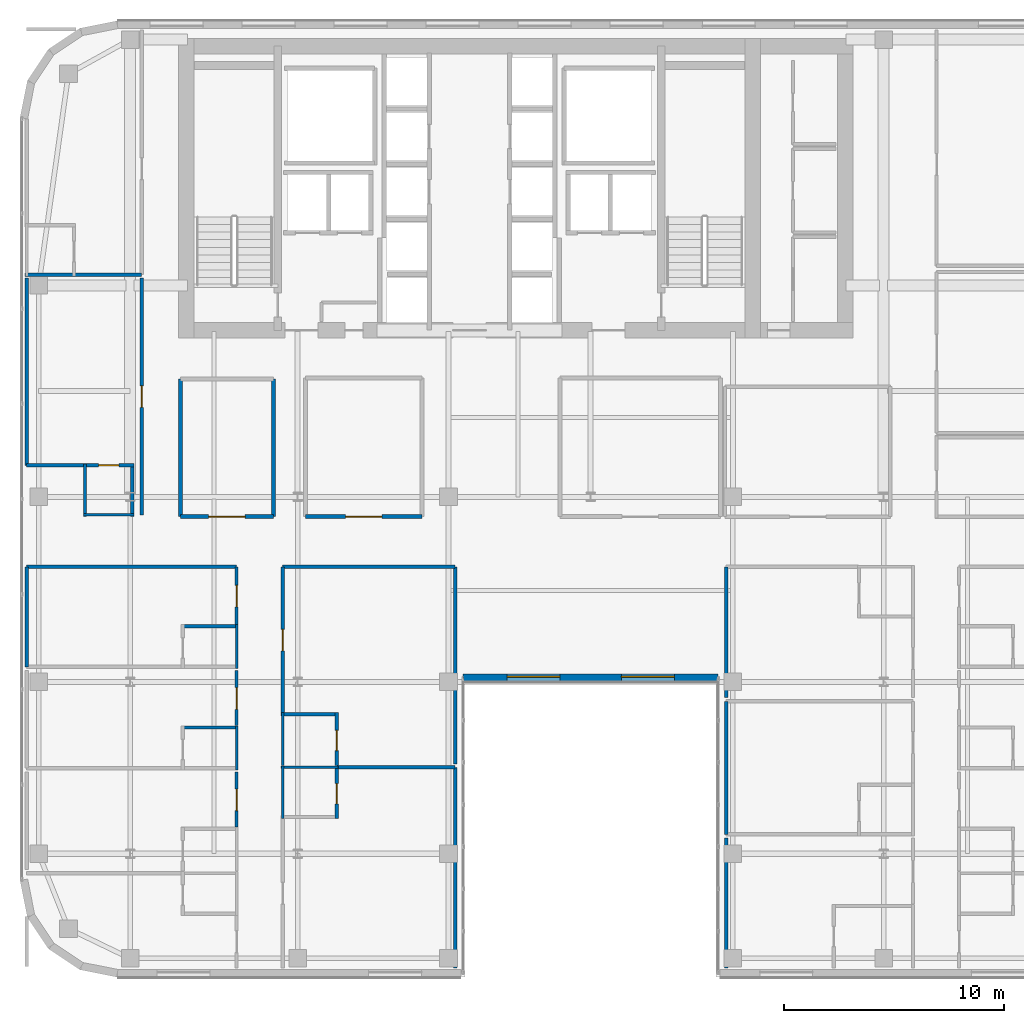
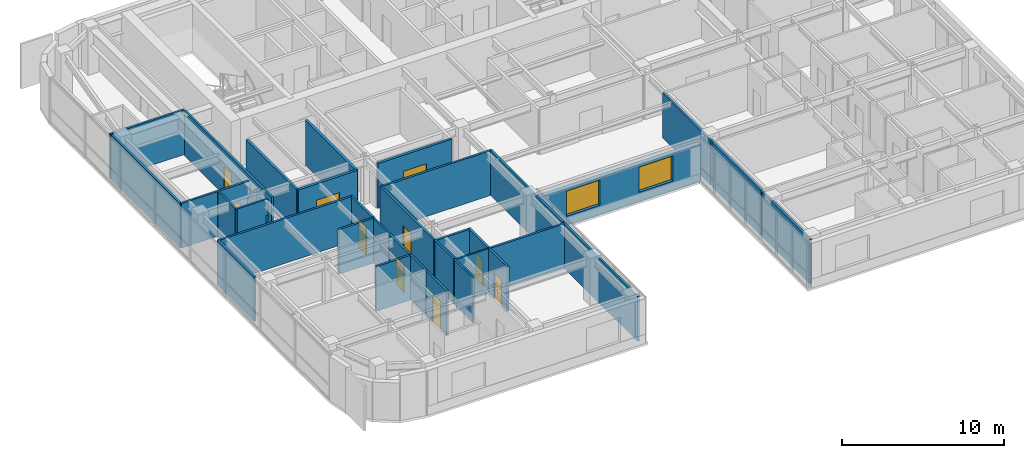
# One storey, part 18 of 28: 36 walls, 10 doors, 2 windows, 12 openings.
"""IFC4 building model written with IfcOpenShell, lengths in metres."""

from ifc_helpers import new_model, si_unit, direction, frame, frame_2d, origin, place, context, subcontext, project, spatial, rectangle, extrude, source, transform, mapped, material, layer, layer_set, type_object, type_shapes, element, fill, save


model = new_model("IFC4")

# Units and contexts
model_context = context("Model", 3, precision=1e-05, world=origin(), true_north=direction((0.0, 1.0)))
body_context = subcontext(model_context, "Body", "Model", "MODEL_VIEW")
ifc_project = project(units=[si_unit("LENGTHUNIT", "METRE"), si_unit("AREAUNIT", "SQUARE_METRE"), si_unit("VOLUMEUNIT", "CUBIC_METRE"), si_unit("PLANEANGLEUNIT", "RADIAN"), si_unit("MASSUNIT", "GRAM", prefix="KILO")], contexts=[model_context])

# Site, building, storey
site_placement = place(None, origin())
site = spatial("IfcSite", under=ifc_project, at=site_placement, CompositionType="ELEMENT")
building_placement = place(site_placement, origin())
building = spatial("IfcBuilding", under=site, at=building_placement, Name="Tolvann Quenvar Hotel", CompositionType="ELEMENT")
storey_placement = place(building_placement, frame((0.0, 0.0, 154.14990234375)))
storey = spatial("IfcBuildingStorey", under=building, at=storey_placement, Name="L40", CompositionType="ELEMENT", Elevation=154.14990234375)

# Wall, openings, windows
ifc_material_1 = material(Name="Kiln-fired red and buff architectural clay brickwork and terracotta masonry", Category="masonry")
ifc_layer_1 = layer(ifc_material_1, 0.35009765625)
ifc_layer_set_1 = layer_set([ifc_layer_1], Name="Kiln-fired red and buff architectural clay brickwork and terracotta masonry")
wall_type_1 = type_object("IfcWallType", Name="WALL_EXT_BRICK_350", PredefinedType="SOLIDWALL", material=ifc_layer_set_1)
wall_1_placement = place(storey_placement, frame((22.7099609375, 16.175048828125, 0.0), z_axis=(0.0, 0.0, 1.0), x_axis=(1.0, 0.0, 0.0)))
wall_1 = element("IfcWall", 1, at=wall_1_placement, inside=storey, type_object=wall_type_1, Name="Exterior Chicago Brick Wall L40-E06", PredefinedType="SOLIDWALL", context=body_context, shape_type="SweptSolid", body=[
    extrude(rectangle(XDim=11.580078125, YDim=0.35009765625, at=frame_2d((5.7900390625, 0.0))), origin(), (0.0, 0.0, 1.0), 2.758056640625),
])
opening_1_placement = place(wall_1_placement, frame((1.9951171875, 0.0, 0.679931640625)))
opening_1 = element("IfcOpeningElement", 2, at=opening_1_placement, cuts=wall_1, Name="Opening W-01", PredefinedType="OPENING", context=body_context, shape_type="SweptSolid", body=[
    extrude(rectangle(XDim=2.39990234375, YDim=1.89990234375, at=frame_2d((1.199951171875, 0.949951171875))), frame((0.0, 0.18505859375, 0.0), z_axis=(0.0, -1.0, 0.0), x_axis=(1.0, 0.0, 0.0)), (0.0, 0.0, 1.0), 0.3701171875),
])
opening_2_placement = place(wall_1_placement, frame((7.18505859375, 0.0, 0.679931640625)))
opening_2 = element("IfcOpeningElement", 3, at=opening_2_placement, cuts=wall_1, Name="Opening W-01", PredefinedType="OPENING", context=body_context, shape_type="SweptSolid", body=[
    extrude(rectangle(XDim=2.39990234375, YDim=1.89990234375, at=frame_2d((1.199951171875, 0.949951171875))), frame((0.0, 0.18505859375, 0.0), z_axis=(0.0, -1.0, 0.0), x_axis=(1.0, 0.0, 0.0)), (0.0, 0.0, 1.0), 0.3701171875),
])
ifc_material_2 = material(Name="Thermally broken bronze-anodised aluminium frame with double low-E glazing", Category="aluminium")
window_type = type_object("IfcWindowType", Name="WIN_CHI_2400x2050", PartitioningType="TRIPLE_PANEL_HORIZONTAL", PredefinedType="WINDOW", material=ifc_material_2)
shared_shape_1 = source(origin(), body_context, "Body", "SweptSolid", [
    extrude(rectangle(XDim=2.39990234375, YDim=1.89990234375, at=frame_2d((1.199951171875, 0.949951171875))), frame((0.0, 0.090087890625, 0.0), z_axis=(0.0, -1.0, 0.0), x_axis=(1.0, 0.0, 0.0)), (0.0, 0.0, 1.0), 0.06005859375),
])
type_shapes(window_type, [shared_shape_1])
window_1_placement = place(opening_1_placement, origin())
window_1 = element("IfcWindow", 4, at=window_1_placement, inside=storey, type_object=window_type, Name="Chicago Window W-01 (EW-L40-E06-W01)", OverallHeight=1.89990234375, OverallWidth=2.39990234375, PartitioningType="TRIPLE_PANEL_HORIZONTAL", PredefinedType="WINDOW", context=body_context, shape_type="MappedRepresentation", body=[
    mapped(shared_shape_1, transform((0.0, 0.0, 0.0), x_axis=(1.0, 0.0, 0.0), y_axis=(0.0, 1.0, 0.0), z_axis=(0.0, 0.0, 1.0), scale=1.0)),
])
fill(opening_1, window_1)
window_2_placement = place(opening_2_placement, origin())
window_2 = element("IfcWindow", 5, at=window_2_placement, inside=storey, type_object=window_type, Name="Chicago Window W-01 (EW-L40-E06-W02)", OverallHeight=1.89990234375, OverallWidth=2.39990234375, PartitioningType="TRIPLE_PANEL_HORIZONTAL", PredefinedType="WINDOW", context=body_context, shape_type="MappedRepresentation", body=[
    mapped(shared_shape_1, transform((0.0, 0.0, 0.0), x_axis=(1.0, 0.0, 0.0), y_axis=(0.0, 1.0, 0.0), z_axis=(0.0, 0.0, 1.0), scale=1.0)),
])
fill(opening_2, window_2)

# Wall, opening, door
ifc_material_3 = material(Name="Acoustic twin-stud fire-rated gypsum plasterboard partition")
ifc_layer_2 = layer(ifc_material_3, 0.179931640625)
ifc_layer_set_2 = layer_set([ifc_layer_2], Name="Acoustic twin-stud fire-rated gypsum plasterboard partition")
wall_type_2 = type_object("IfcWallType", Name="WALL_PART_ACOUSTIC_180", PredefinedType="PARTITIONING", material=ifc_layer_set_2)
wall_2_placement = place(storey_placement, frame((9.8798828125, 23.5, 0.0), z_axis=(0.0, 0.0, 1.0), x_axis=(1.0, 0.0, 0.0)))
wall_2 = element("IfcWall", 6, at=wall_2_placement, inside=storey, type_object=wall_type_2, Name="Interior Partition PT-SPC-L40-MSP-W-S", PredefinedType="PARTITIONING", context=body_context, shape_type="SweptSolid", body=[
    extrude(rectangle(XDim=4.22021484375, YDim=0.179931640625, at=frame_2d((2.110107421875, 0.0))), origin(), (0.0, 0.0, 1.0), 3.3701171875),
])
opening_3_placement = place(wall_2_placement, frame((1.284912109375, 0.0, 0.0)))
opening_3 = element("IfcOpeningElement", 7, at=opening_3_placement, cuts=wall_2, Name="Opening AD-01", PredefinedType="OPENING", context=body_context, shape_type="SweptSolid", body=[
    extrude(rectangle(XDim=1.64990234375, YDim=2.14990234375, at=frame_2d((0.824951171875, 1.074951171875))), frame((0.0, 0.10009765625, 0.0), z_axis=(0.0, -1.0, 0.0), x_axis=(1.0, 0.0, 0.0)), (0.0, 0.0, 1.0), 0.199951171875),
])
ifc_material_4 = material(Name="Solid-core American oak acoustic fire door leaf in steel frame", Category="steel")
door_type_1 = type_object("IfcDoorType", Name="DOOR_SALON_1650", OperationType="NOTDEFINED", PredefinedType="DOOR", material=ifc_material_4)
shared_shape_2 = source(origin(), body_context, "Body", "SweptSolid", [
    extrude(rectangle(XDim=1.64990234375, YDim=2.14990234375, at=frame_2d((0.824951171875, 1.074951171875))), frame((0.0, 0.02490234375, 0.0), z_axis=(0.0, -1.0, 0.0), x_axis=(1.0, 0.0, 0.0)), (0.0, 0.0, 1.0), 0.050048828125),
])
type_shapes(door_type_1, [shared_shape_2])
door_1_placement = place(opening_3_placement, origin())
door_1 = element("IfcDoor", 8, at=door_1_placement, inside=storey, type_object=door_type_1, Name="Interior Door DOOR-SPC-L40-MSP-W", OperationType="DOUBLE_DOOR_SINGLE_SWING", OverallHeight=2.14990234375, OverallWidth=1.64990234375, PredefinedType="DOOR", context=body_context, shape_type="MappedRepresentation", body=[
    mapped(shared_shape_2, transform((0.0, 0.0, 0.0), x_axis=(1.0, 0.0, 0.0), y_axis=(0.0, 1.0, 0.0), z_axis=(0.0, 0.0, 1.0), scale=1.0)),
])
fill(opening_3, door_1)

# Walls
for number, where, z_axis, x_axis, name in (
    (9, (9.8798828125, 23.5, 0.0), (0.0, 0.0, 1.0), (0.0, 1.0, 0.0), "Interior Partition PT-SPC-L40-MSP-W-W"),
    (10, (14.10009765625, 23.5, 0.0), (0.0, 0.0, 1.0), (0.0, 1.0, 0.0), "Interior Partition PT-SPC-L40-MSP-W-E"),
):
    element("IfcWall", number, at=place(storey_placement, frame(where, z_axis=z_axis, x_axis=x_axis)), inside=storey, type_object=wall_type_2, Name=name, PredefinedType="PARTITIONING", context=body_context, shape_type="SweptSolid", body=[
        extrude(rectangle(XDim=6.25, YDim=0.179931640625, at=frame_2d((3.125, 0.0))), origin(), (0.0, 0.0, 1.0), 3.3701171875),
    ])

# Wall, opening, door
wall_3_placement = place(storey_placement, frame((15.550048828125, 23.5, 0.0), z_axis=(0.0, 0.0, 1.0), x_axis=(1.0, 0.0, 0.0)))
wall_3 = element("IfcWall", 11, at=wall_3_placement, inside=storey, type_object=wall_type_2, Name="Interior Partition PT-SPC-L40-MSP-N-S", PredefinedType="PARTITIONING", context=body_context, shape_type="SweptSolid", body=[
    extrude(rectangle(XDim=5.300048828125, YDim=0.179931640625, at=frame_2d((2.64990234375, 0.0))), origin(), (0.0, 0.0, 1.0), 3.3701171875),
])
opening_4_placement = place(wall_3_placement, frame((1.824951171875, 0.0, 0.0)))
opening_4 = element("IfcOpeningElement", 12, at=opening_4_placement, cuts=wall_3, Name="Opening AD-01", PredefinedType="OPENING", context=body_context, shape_type="SweptSolid", body=[
    extrude(rectangle(XDim=1.64990234375, YDim=2.14990234375, at=frame_2d((0.824951171875, 1.074951171875))), frame((0.0, 0.10009765625, 0.0), z_axis=(0.0, -1.0, 0.0), x_axis=(1.0, 0.0, 0.0)), (0.0, 0.0, 1.0), 0.199951171875),
])
door_2_placement = place(opening_4_placement, origin())
door_2 = element("IfcDoor", 13, at=door_2_placement, inside=storey, type_object=door_type_1, Name="Interior Door DOOR-SPC-L40-MSP-N", OperationType="DOUBLE_DOOR_SINGLE_SWING", OverallHeight=2.14990234375, OverallWidth=1.64990234375, PredefinedType="DOOR", context=body_context, shape_type="MappedRepresentation", body=[
    mapped(shared_shape_2, transform((0.0, 0.0, 0.0), x_axis=(1.0, 0.0, 0.0), y_axis=(0.0, 1.0, 0.0), z_axis=(0.0, 0.0, 1.0), scale=1.0)),
])
fill(opening_4, door_2)

# Walls
ifc_material_5 = material(Name="Moisture-resistant acoustic plumbing wall assembly")
ifc_layer_3 = layer(ifc_material_5, 0.1201171875)
ifc_layer_set_3 = layer_set([ifc_layer_3], Name="Moisture-resistant acoustic plumbing wall assembly")
wall_type_3 = type_object("IfcWallType", Name="WALL_PART_BATH_120", PredefinedType="PLUMBINGWALL", material=ifc_layer_set_3)
for number, where, z_axis, x_axis, name in (
    (14, (12.429931640625, 12.010009765625, 0.0), (0.0, 0.0, 1.0), (0.0, 1.0, 0.0), "Non-Rated Plumbing Partition PT-SPC-L40-ENS-WO03-E"),
    (15, (12.429931640625, 16.610107421875, 0.0), (0.0, 0.0, 1.0), (0.0, 1.0, 0.0), "Non-Rated Plumbing Partition PT-SPC-L40-ENS-WO04-E"),
):
    element("IfcWall", number, at=place(storey_placement, frame(where, z_axis=z_axis, x_axis=x_axis)), inside=storey, type_object=wall_type_3, Name=name, PredefinedType="PLUMBINGWALL", context=body_context, shape_type="SweptSolid", body=[
        extrude(rectangle(XDim=1.989990234375, YDim=0.1201171875, at=frame_2d((0.9951171875, 0.0))), origin(), (0.0, 0.0, 1.0), 3.3701171875),
    ])
wall_4_placement = place(storey_placement, frame((14.449951171875, 12.1201171875, 0.0), z_axis=(0.0, 0.0, 1.0), x_axis=(1.0, 0.0, 0.0)))
element("IfcWall", 16, at=wall_4_placement, inside=storey, type_object=wall_type_3, Name="Non-Rated Plumbing Partition PT-SPC-L40-ENS-WI01-N", PredefinedType="PLUMBINGWALL", context=body_context, shape_type="SweptSolid", body=[
    extrude(rectangle(XDim=2.590087890625, YDim=0.1201171875, at=frame_2d((1.294921875, 0.0))), origin(), (0.0, 0.0, 1.0), 3.3701171875),
])
wall_5_placement = place(storey_placement, frame((14.52001953125, 9.800048828125, 0.0), z_axis=(0.0, 0.0, 1.0), x_axis=(0.0, 1.0, 0.0)))
element("IfcWall", 17, at=wall_5_placement, inside=storey, type_object=wall_type_3, Name="Non-Rated Plumbing Partition PT-SPC-L40-ENS-WI01-W", PredefinedType="PLUMBINGWALL", context=body_context, shape_type="SweptSolid", body=[
    extrude(rectangle(XDim=2.389892578125, YDim=0.1201171875, at=frame_2d((1.19482421875, 0.0))), origin(), (0.0, 0.0, 1.0), 3.3701171875),
])
wall_6_placement = place(storey_placement, frame((14.52001953125, 12.2099609375, 0.0), z_axis=(0.0, 0.0, 1.0), x_axis=(0.0, 1.0, 0.0)))
element("IfcWall", 18, at=wall_6_placement, inside=storey, type_object=wall_type_3, Name="Non-Rated Plumbing Partition PT-SPC-L40-ENS-WI02-W", PredefinedType="PLUMBINGWALL", context=body_context, shape_type="SweptSolid", body=[
    extrude(rectangle(XDim=2.39013671875, YDim=0.1201171875, at=frame_2d((1.195068359375, 0.0))), origin(), (0.0, 0.0, 1.0), 3.3701171875),
])
wall_7_placement = place(storey_placement, frame((5.47998046875, 23.580078125, 0.0), z_axis=(0.0, 0.0, 1.0), x_axis=(1.0, 0.0, 0.0)))
element("IfcWall", 19, at=wall_7_placement, inside=storey, type_object=wall_type_3, Name="Non-Rated Plumbing Partition PT-SPC-L40-ENS-NW01-S", PredefinedType="PLUMBINGWALL", context=body_context, shape_type="SweptSolid", body=[
    extrude(rectangle(XDim=2.2900390625, YDim=0.1201171875, at=frame_2d((1.14501953125, 0.0))), origin(), (0.0, 0.0, 1.0), 3.3701171875),
])
wall_8_placement = place(storey_placement, frame((5.550048828125, 23.510009765625, 0.0), z_axis=(0.0, 0.0, 1.0), x_axis=(0.0, 1.0, 0.0)))
element("IfcWall", 20, at=wall_8_placement, inside=storey, type_object=wall_type_3, Name="Non-Rated Plumbing Partition PT-SPC-L40-ENS-NW01-W", PredefinedType="PLUMBINGWALL", context=body_context, shape_type="SweptSolid", body=[
    extrude(rectangle(XDim=2.389892578125, YDim=0.1201171875, at=frame_2d((1.19482421875, 0.0))), origin(), (0.0, 0.0, 1.0), 3.3701171875),
])
ifc_layer_4 = layer(ifc_material_3, 0.14990234375)
ifc_layer_set_4 = layer_set([ifc_layer_4], Name="Acoustic twin-stud fire-rated gypsum plasterboard partition")
wall_type_4 = type_object("IfcWallType", Name="WALL_PART_SUITE_150", PredefinedType="PARTITIONING", material=ifc_layer_set_4)
for number, where, z_axis, x_axis, name in (
    (21, (9.909912109375, 13.929931640625, 0.0), (0.0, 0.0, 1.0), (1.0, 0.0, 0.0), "Interior Partition PT-SPC-L40-ENS-WO03-N"),
    (22, (9.909912109375, 18.530029296875, 0.0), (0.0, 0.0, 1.0), (1.0, 0.0, 0.0), "Interior Partition PT-SPC-L40-ENS-WO04-N"),
):
    element("IfcWall", number, at=place(storey_placement, frame(where, z_axis=z_axis, x_axis=x_axis)), inside=storey, type_object=wall_type_4, Name=name, PredefinedType="PARTITIONING", context=body_context, shape_type="SweptSolid", body=[
        extrude(rectangle(XDim=2.590087890625, YDim=0.14990234375, at=frame_2d((1.294921875, 0.0))), origin(), (0.0, 0.0, 1.0), 3.3701171875),
    ])

# Wall, opening, door
wall_9_placement = place(storey_placement, frame((16.969970703125, 9.800048828125, 0.0), z_axis=(0.0, 0.0, 1.0), x_axis=(0.0, 1.0, 0.0)))
wall_9 = element("IfcWall", 23, at=wall_9_placement, inside=storey, type_object=wall_type_4, Name="Interior Partition PT-SPC-L40-ENS-WI01-ENT", PredefinedType="PARTITIONING", context=body_context, shape_type="SweptSolid", body=[
    extrude(rectangle(XDim=2.389892578125, YDim=0.14990234375, at=frame_2d((1.19482421875, 0.0))), origin(), (0.0, 0.0, 1.0), 3.3701171875),
])
opening_5_placement = place(wall_9_placement, frame((0.6650390625, 0.0, 0.0)))
opening_5 = element("IfcOpeningElement", 24, at=opening_5_placement, cuts=wall_9, Name="Opening WD-01", PredefinedType="OPENING", context=body_context, shape_type="SweptSolid", body=[
    extrude(rectangle(XDim=0.919921875, YDim=2.010009765625, at=frame_2d((0.4599609375, 1.0048828125))), frame((0.0, 0.0849609375, 0.0), z_axis=(0.0, -1.0, 0.0), x_axis=(1.0, 0.0, 0.0)), (0.0, 0.0, 1.0), 0.169921875),
])
door_type_2 = type_object("IfcDoorType", Name="DOOR_WC_920", OperationType="NOTDEFINED", PredefinedType="DOOR", material=ifc_material_4)
shared_shape_3 = source(origin(), body_context, "Body", "SweptSolid", [
    extrude(rectangle(XDim=0.919921875, YDim=2.010009765625, at=frame_2d((0.4599609375, 1.0048828125))), frame((0.0, 0.02490234375, 0.0), z_axis=(0.0, -1.0, 0.0), x_axis=(1.0, 0.0, 0.0)), (0.0, 0.0, 1.0), 0.050048828125),
])
type_shapes(door_type_2, [shared_shape_3])
door_3_placement = place(opening_5_placement, origin())
door_3 = element("IfcDoor", 25, at=door_3_placement, inside=storey, type_object=door_type_2, Name="Interior Door DOOR-SPC-L40-ENS-WI01", OperationType="SINGLE_SWING_LEFT", OverallHeight=2.010009765625, OverallWidth=0.919921875, PredefinedType="DOOR", context=body_context, shape_type="MappedRepresentation", body=[
    mapped(shared_shape_3, transform((0.0, 0.0, 0.0), x_axis=(1.0, 0.0, 0.0), y_axis=(0.0, 1.0, 0.0), z_axis=(0.0, 0.0, 1.0), scale=1.0)),
])
fill(opening_5, door_3)

wall_10_placement = place(storey_placement, frame((16.969970703125, 12.2099609375, 0.0), z_axis=(0.0, 0.0, 1.0), x_axis=(0.0, 1.0, 0.0)))
wall_10 = element("IfcWall", 26, at=wall_10_placement, inside=storey, type_object=wall_type_4, Name="Interior Partition PT-SPC-L40-ENS-WI02-ENT", PredefinedType="PARTITIONING", context=body_context, shape_type="SweptSolid", body=[
    extrude(rectangle(XDim=2.39013671875, YDim=0.14990234375, at=frame_2d((1.195068359375, 0.0))), origin(), (0.0, 0.0, 1.0), 3.3701171875),
])
opening_6_placement = place(wall_10_placement, frame((0.6650390625, 0.0, 0.0)))
opening_6 = element("IfcOpeningElement", 27, at=opening_6_placement, cuts=wall_10, Name="Opening WD-01", PredefinedType="OPENING", context=body_context, shape_type="SweptSolid", body=[
    extrude(rectangle(XDim=0.919921875, YDim=2.010009765625, at=frame_2d((0.4599609375, 1.0048828125))), frame((0.0, 0.0849609375, 0.0), z_axis=(0.0, -1.0, 0.0), x_axis=(1.0, 0.0, 0.0)), (0.0, 0.0, 1.0), 0.169921875),
])
door_4_placement = place(opening_6_placement, origin())
door_4 = element("IfcDoor", 28, at=door_4_placement, inside=storey, type_object=door_type_2, Name="Interior Door DOOR-SPC-L40-ENS-WI02", OperationType="SINGLE_SWING_RIGHT", OverallHeight=2.010009765625, OverallWidth=0.919921875, PredefinedType="DOOR", context=body_context, shape_type="MappedRepresentation", body=[
    mapped(shared_shape_3, transform((0.0, 0.0, 0.0), x_axis=(1.0, 0.0, 0.0), y_axis=(0.0, 1.0, 0.0), z_axis=(0.0, 0.0, 1.0), scale=1.0)),
])
fill(opening_6, door_4)

# Walls
wall_11_placement = place(storey_placement, frame((14.449951171875, 14.530029296875, 0.0), z_axis=(0.0, 0.0, 1.0), x_axis=(1.0, 0.0, 0.0)))
element("IfcWall", 29, at=wall_11_placement, inside=storey, type_object=wall_type_4, Name="Interior Partition PT-SPC-L40-ENS-WI02-N", PredefinedType="PARTITIONING", context=body_context, shape_type="SweptSolid", body=[
    extrude(rectangle(XDim=2.590087890625, YDim=0.14990234375, at=frame_2d((1.294921875, 0.0))), origin(), (0.0, 0.0, 1.0), 3.3701171875),
])
wall_12_placement = place(storey_placement, frame((7.699951171875, 23.510009765625, 0.0), z_axis=(0.0, 0.0, 1.0), x_axis=(0.0, 1.0, 0.0)))
element("IfcWall", 30, at=wall_12_placement, inside=storey, type_object=wall_type_4, Name="Interior Partition PT-SPC-L40-ENS-NW01-ENT", PredefinedType="PARTITIONING", context=body_context, shape_type="SweptSolid", body=[
    extrude(rectangle(XDim=2.389892578125, YDim=0.14990234375, at=frame_2d((1.19482421875, 0.0))), origin(), (0.0, 0.0, 1.0), 2.16015625),
])

# Wall, opening, door
wall_13_placement = place(storey_placement, frame((5.47998046875, 25.830078125, 0.0), z_axis=(0.0, 0.0, 1.0), x_axis=(1.0, 0.0, 0.0)))
wall_13 = element("IfcWall", 31, at=wall_13_placement, inside=storey, type_object=wall_type_4, Name="Interior Partition PT-SPC-L40-ENS-NW01-N", PredefinedType="PARTITIONING", context=body_context, shape_type="SweptSolid", body=[
    extrude(rectangle(XDim=2.2900390625, YDim=0.14990234375, at=frame_2d((1.14501953125, 0.0))), origin(), (0.0, 0.0, 1.0), 3.3701171875),
])
opening_7_placement = place(wall_13_placement, frame((0.68505859375, 0.0, 0.0)))
opening_7 = element("IfcOpeningElement", 32, at=opening_7_placement, cuts=wall_13, Name="Opening WD-01", PredefinedType="OPENING", context=body_context, shape_type="SweptSolid", body=[
    extrude(rectangle(XDim=0.919921875, YDim=2.010009765625, at=frame_2d((0.4599609375, 1.0048828125))), frame((0.0, 0.0849609375, 0.0), z_axis=(0.0, -1.0, 0.0), x_axis=(1.0, 0.0, 0.0)), (0.0, 0.0, 1.0), 0.169921875),
])
door_5_placement = place(opening_7_placement, origin())
door_5 = element("IfcDoor", 33, at=door_5_placement, inside=storey, type_object=door_type_2, Name="Interior Door DOOR-SPC-L40-ENS-NW01", OperationType="SINGLE_SWING_RIGHT", OverallHeight=2.010009765625, OverallWidth=0.919921875, PredefinedType="DOOR", context=body_context, shape_type="MappedRepresentation", body=[
    mapped(shared_shape_3, transform((0.0, 0.0, 0.0), x_axis=(1.0, 0.0, 0.0), y_axis=(0.0, 1.0, 0.0), z_axis=(0.0, 0.0, 1.0), scale=1.0)),
])
fill(opening_7, door_5)

# Wall
wall_14_placement = place(storey_placement, frame((2.830078125, 34.47998046875, 0.0), z_axis=(0.0, 0.0, 1.0), x_axis=(1.0, 0.0, 0.0)))
element("IfcWall", 34, at=wall_14_placement, inside=storey, type_object=wall_type_4, Name="Interior Partition PT-SPC-L40-ENS-NW02-S", PredefinedType="PARTITIONING", context=body_context, shape_type="SweptSolid", body=[
    extrude(rectangle(XDim=5.2900390625, YDim=0.14990234375, at=frame_2d((2.64501953125, 0.0))), origin(), (0.0, 0.0, 1.0), 3.3701171875),
])

# Wall, opening, door
wall_15_placement = place(storey_placement, frame((12.429931640625, 9.409912109375, 0.0), z_axis=(0.0, 0.0, 1.0), x_axis=(0.0, 1.0, 0.0)))
wall_15 = element("IfcWall", 35, at=wall_15_placement, inside=storey, type_object=wall_type_4, Name="Interior Partition PT-SPC-L40-RM-WO02-ENT", PredefinedType="PARTITIONING", context=body_context, shape_type="SweptSolid", body=[
    extrude(rectangle(XDim=2.510009765625, YDim=0.14990234375, at=frame_2d((1.2548828125, 0.0))), origin(), (0.0, 0.0, 1.0), 3.3701171875),
])
opening_8_placement = place(wall_15_placement, frame((0.7451171875, 0.0, 0.0)))
opening_8 = element("IfcOpeningElement", 36, at=opening_8_placement, cuts=wall_15, Name="Opening SD-01", PredefinedType="OPENING", context=body_context, shape_type="SweptSolid", body=[
    extrude(rectangle(XDim=0.97998046875, YDim=2.1201171875, at=frame_2d((0.489990234375, 1.06005859375))), frame((0.0, 0.0849609375, 0.0), z_axis=(0.0, -1.0, 0.0), x_axis=(1.0, 0.0, 0.0)), (0.0, 0.0, 1.0), 0.169921875),
])
door_type_3 = type_object("IfcDoorType", Name="DOOR_SUITE_980", OperationType="NOTDEFINED", PredefinedType="DOOR", material=ifc_material_4)
shared_shape_4 = source(origin(), body_context, "Body", "SweptSolid", [
    extrude(rectangle(XDim=0.97998046875, YDim=2.1201171875, at=frame_2d((0.489990234375, 1.06005859375))), frame((0.0, 0.02490234375, 0.0), z_axis=(0.0, -1.0, 0.0), x_axis=(1.0, 0.0, 0.0)), (0.0, 0.0, 1.0), 0.050048828125),
])
type_shapes(door_type_3, [shared_shape_4])
door_6_placement = place(opening_8_placement, origin())
door_6 = element("IfcDoor", 37, at=door_6_placement, inside=storey, type_object=door_type_3, Name="Interior Door DOOR-SPC-L40-RM-WO02", OperationType="SINGLE_SWING_LEFT", OverallHeight=2.1201171875, OverallWidth=0.97998046875, PredefinedType="DOOR", context=body_context, shape_type="MappedRepresentation", body=[
    mapped(shared_shape_4, transform((0.0, 0.0, 0.0), x_axis=(1.0, 0.0, 0.0), y_axis=(0.0, 1.0, 0.0), z_axis=(0.0, 0.0, 1.0), scale=1.0)),
])
fill(opening_8, door_6)

wall_16_placement = place(storey_placement, frame((12.429931640625, 14.010009765625, 0.0), z_axis=(0.0, 0.0, 1.0), x_axis=(0.0, 1.0, 0.0)))
wall_16 = element("IfcWall", 38, at=wall_16_placement, inside=storey, type_object=wall_type_4, Name="Interior Partition PT-SPC-L40-RM-WO03-ENT", PredefinedType="PARTITIONING", context=body_context, shape_type="SweptSolid", body=[
    extrude(rectangle(XDim=2.510009765625, YDim=0.14990234375, at=frame_2d((1.2548828125, 0.0))), origin(), (0.0, 0.0, 1.0), 3.3701171875),
])
opening_9_placement = place(wall_16_placement, frame((0.7451171875, 0.0, 0.0)))
opening_9 = element("IfcOpeningElement", 39, at=opening_9_placement, cuts=wall_16, Name="Opening SD-01", PredefinedType="OPENING", context=body_context, shape_type="SweptSolid", body=[
    extrude(rectangle(XDim=0.97998046875, YDim=2.1201171875, at=frame_2d((0.489990234375, 1.06005859375))), frame((0.0, 0.0849609375, 0.0), z_axis=(0.0, -1.0, 0.0), x_axis=(1.0, 0.0, 0.0)), (0.0, 0.0, 1.0), 0.169921875),
])
door_7_placement = place(opening_9_placement, origin())
door_7 = element("IfcDoor", 40, at=door_7_placement, inside=storey, type_object=door_type_3, Name="Interior Door DOOR-SPC-L40-RM-WO03", OperationType="SINGLE_SWING_RIGHT", OverallHeight=2.1201171875, OverallWidth=0.97998046875, PredefinedType="DOOR", context=body_context, shape_type="MappedRepresentation", body=[
    mapped(shared_shape_4, transform((0.0, 0.0, 0.0), x_axis=(1.0, 0.0, 0.0), y_axis=(0.0, 1.0, 0.0), z_axis=(0.0, 0.0, 1.0), scale=1.0)),
])
fill(opening_9, door_7)

wall_17_placement = place(storey_placement, frame((12.429931640625, 18.610107421875, 0.0), z_axis=(0.0, 0.0, 1.0), x_axis=(0.0, 1.0, 0.0)))
wall_17 = element("IfcWall", 41, at=wall_17_placement, inside=storey, type_object=wall_type_4, Name="Interior Partition PT-SPC-L40-RM-WO04-ENT", PredefinedType="PARTITIONING", context=body_context, shape_type="SweptSolid", body=[
    extrude(rectangle(XDim=2.60986328125, YDim=0.14990234375, at=frame_2d((1.304931640625, 0.0))), origin(), (0.0, 0.0, 1.0), 3.3701171875),
])
opening_10_placement = place(wall_17_placement, frame((0.794921875, 0.0, 0.0)))
opening_10 = element("IfcOpeningElement", 42, at=opening_10_placement, cuts=wall_17, Name="Opening SD-01", PredefinedType="OPENING", context=body_context, shape_type="SweptSolid", body=[
    extrude(rectangle(XDim=0.97998046875, YDim=2.1201171875, at=frame_2d((0.489990234375, 1.06005859375))), frame((0.0, 0.0849609375, 0.0), z_axis=(0.0, -1.0, 0.0), x_axis=(1.0, 0.0, 0.0)), (0.0, 0.0, 1.0), 0.169921875),
])
door_8_placement = place(opening_10_placement, origin())
door_8 = element("IfcDoor", 43, at=door_8_placement, inside=storey, type_object=door_type_3, Name="Interior Door DOOR-SPC-L40-RM-WO04", OperationType="SINGLE_SWING_LEFT", OverallHeight=2.1201171875, OverallWidth=0.97998046875, PredefinedType="DOOR", context=body_context, shape_type="MappedRepresentation", body=[
    mapped(shared_shape_4, transform((0.0, 0.0, 0.0), x_axis=(1.0, 0.0, 0.0), y_axis=(0.0, 1.0, 0.0), z_axis=(0.0, 0.0, 1.0), scale=1.0)),
])
fill(opening_10, door_8)

# Walls
wall_18_placement = place(storey_placement, frame((2.89990234375, 21.219970703125, 0.0), z_axis=(0.0, 0.0, 1.0), x_axis=(1.0, 0.0, 0.0)))
element("IfcWall", 44, at=wall_18_placement, inside=storey, type_object=wall_type_4, Name="Interior Partition PT-SPC-L40-RM-WO04-E5", PredefinedType="PARTITIONING", context=body_context, shape_type="SweptSolid", body=[
    extrude(rectangle(XDim=9.530029296875, YDim=0.14990234375, at=frame_2d((4.76513671875, 0.0))), origin(), (0.0, 0.0, 1.0), 3.3701171875),
])
wall_19_placement = place(storey_placement, frame((2.89990234375, 16.679931640625, 0.0), z_axis=(0.0, 0.0, 1.0), x_axis=(0.0, 1.0, 0.0)))
element("IfcWall", 45, at=wall_19_placement, inside=storey, type_object=wall_type_4, Name="Interior Partition PT-SPC-L40-RM-WO04-E6", PredefinedType="PARTITIONING", context=body_context, shape_type="SweptSolid", body=[
    extrude(rectangle(XDim=4.5400390625, YDim=0.14990234375, at=frame_2d((2.27001953125, 0.0))), origin(), (0.0, 0.0, 1.0), 3.3701171875),
])
wall_20_placement = place(storey_placement, frame((22.35009765625, 3.0048828125, 0.0), z_axis=(0.0, 0.0, 1.0), x_axis=(0.0, 1.0, 0.0)))
element("IfcWall", 46, at=wall_20_placement, inside=storey, type_object=wall_type_4, Name="Interior Partition PT-SPC-L40-RM-WI01-E2", PredefinedType="PARTITIONING", context=body_context, shape_type="SweptSolid", body=[
    extrude(rectangle(XDim=9.115234375, YDim=0.14990234375, at=frame_2d((4.5576171875, 0.0))), origin(), (0.0, 0.0, 1.0), 3.3701171875),
])
wall_21_placement = place(storey_placement, frame((16.989990234375, 12.1201171875, 0.0), z_axis=(0.0, 0.0, 1.0), x_axis=(1.0, 0.0, 0.0)))
element("IfcWall", 47, at=wall_21_placement, inside=storey, type_object=wall_type_4, Name="Interior Partition PT-SPC-L40-RM-WI01-E3", PredefinedType="PARTITIONING", context=body_context, shape_type="SweptSolid", body=[
    extrude(rectangle(XDim=5.360107421875, YDim=0.14990234375, at=frame_2d((2.68017578125, 0.0))), origin(), (0.0, 0.0, 1.0), 3.3701171875),
])

# Wall, opening, door
wall_22_placement = place(storey_placement, frame((14.52001953125, 14.610107421875, 0.0), z_axis=(0.0, 0.0, 1.0), x_axis=(0.0, 1.0, 0.0)))
wall_22 = element("IfcWall", 48, at=wall_22_placement, inside=storey, type_object=wall_type_4, Name="Interior Partition PT-SPC-L40-RM-WI02-ENT", PredefinedType="PARTITIONING", context=body_context, shape_type="SweptSolid", body=[
    extrude(rectangle(XDim=6.60986328125, YDim=0.14990234375, at=frame_2d((3.304931640625, 0.0))), origin(), (0.0, 0.0, 1.0), 3.3701171875),
])
opening_11_placement = place(wall_22_placement, frame((2.794921875, 0.0, 0.0)))
opening_11 = element("IfcOpeningElement", 49, at=opening_11_placement, cuts=wall_22, Name="Opening SD-01", PredefinedType="OPENING", context=body_context, shape_type="SweptSolid", body=[
    extrude(rectangle(XDim=0.97998046875, YDim=2.1201171875, at=frame_2d((0.489990234375, 1.06005859375))), frame((0.0, 0.0849609375, 0.0), z_axis=(0.0, -1.0, 0.0), x_axis=(1.0, 0.0, 0.0)), (0.0, 0.0, 1.0), 0.169921875),
])
door_9_placement = place(opening_11_placement, origin())
door_9 = element("IfcDoor", 50, at=door_9_placement, inside=storey, type_object=door_type_3, Name="Interior Door DOOR-SPC-L40-RM-WI02", OperationType="SINGLE_SWING_LEFT", OverallHeight=2.1201171875, OverallWidth=0.97998046875, PredefinedType="DOOR", context=body_context, shape_type="MappedRepresentation", body=[
    mapped(shared_shape_4, transform((0.0, 0.0, 0.0), x_axis=(1.0, 0.0, 0.0), y_axis=(0.0, 1.0, 0.0), z_axis=(0.0, 0.0, 1.0), scale=1.0)),
])
fill(opening_11, door_9)

# Walls
wall_23_placement = place(storey_placement, frame((22.35009765625, 12.280029296875, 0.0), z_axis=(0.0, 0.0, 1.0), x_axis=(0.0, 1.0, 0.0)))
element("IfcWall", 51, at=wall_23_placement, inside=storey, type_object=wall_type_4, Name="Interior Partition PT-SPC-L40-RM-WI02-E4", PredefinedType="PARTITIONING", context=body_context, shape_type="SweptSolid", body=[
    extrude(rectangle(XDim=8.93994140625, YDim=0.14990234375, at=frame_2d((4.469970703125, 0.0))), origin(), (0.0, 0.0, 1.0), 3.3701171875),
])
wall_24_placement = place(storey_placement, frame((14.52001953125, 21.219970703125, 0.0), z_axis=(0.0, 0.0, 1.0), x_axis=(1.0, 0.0, 0.0)))
element("IfcWall", 52, at=wall_24_placement, inside=storey, type_object=wall_type_4, Name="Interior Partition PT-SPC-L40-RM-WI02-E5", PredefinedType="PARTITIONING", context=body_context, shape_type="SweptSolid", body=[
    extrude(rectangle(XDim=7.830078125, YDim=0.14990234375, at=frame_2d((3.9150390625, 0.0))), origin(), (0.0, 0.0, 1.0), 3.3701171875),
])
wall_25_placement = place(storey_placement, frame((34.64990234375, 3.0048828125, 0.0), z_axis=(0.0, 0.0, 1.0), x_axis=(0.0, 1.0, 0.0)))
element("IfcWall", 53, at=wall_25_placement, inside=storey, type_object=wall_type_4, Name="Interior Partition PT-SPC-L40-RM-EI01-E6", PredefinedType="PARTITIONING", context=body_context, shape_type="SweptSolid", body=[
    extrude(rectangle(XDim=5.9150390625, YDim=0.14990234375, at=frame_2d((2.95751953125, 0.0))), origin(), (0.0, 0.0, 1.0), 3.3701171875),
])
wall_26_placement = place(storey_placement, frame((34.64990234375, 9.080078125, 0.0), z_axis=(0.0, 0.0, 1.0), x_axis=(0.0, 1.0, 0.0)))
element("IfcWall", 54, at=wall_26_placement, inside=storey, type_object=wall_type_4, Name="Interior Partition PT-SPC-L40-RM-EI02-E6", PredefinedType="PARTITIONING", context=body_context, shape_type="SweptSolid", body=[
    extrude(rectangle(XDim=6.0400390625, YDim=0.14990234375, at=frame_2d((3.02001953125, 0.0))), origin(), (0.0, 0.0, 1.0), 3.3701171875),
])
wall_27_placement = place(storey_placement, frame((34.64990234375, 15.280029296875, 0.0), z_axis=(0.0, 0.0, 1.0), x_axis=(0.0, 1.0, 0.0)))
element("IfcWall", 55, at=wall_27_placement, inside=storey, type_object=wall_type_4, Name="Interior Partition PT-SPC-L40-RM-EI03-E6", PredefinedType="PARTITIONING", context=body_context, shape_type="SweptSolid", body=[
    extrude(rectangle(XDim=5.93994140625, YDim=0.14990234375, at=frame_2d((2.969970703125, 0.0))), origin(), (0.0, 0.0, 1.0), 3.3701171875),
])

# Wall, opening, door
wall_28_placement = place(storey_placement, frame((8.1201171875, 23.580078125, 0.0), z_axis=(0.0, 0.0, 1.0), x_axis=(0.0, 1.0, 0.0)))
wall_28 = element("IfcWall", 56, at=wall_28_placement, inside=storey, type_object=wall_type_4, Name="Interior Partition PT-SPC-L40-RM-NW01-ENT", PredefinedType="PARTITIONING", context=body_context, shape_type="SweptSolid", body=[
    extrude(rectangle(XDim=10.739990234375, YDim=0.14990234375, at=frame_2d((5.3701171875, 0.0))), origin(), (0.0, 0.0, 1.0), 3.3701171875),
])
opening_12_placement = place(wall_28_placement, frame((4.8798828125, 0.0, 0.0)))
opening_12 = element("IfcOpeningElement", 57, at=opening_12_placement, cuts=wall_28, Name="Opening SD-01", PredefinedType="OPENING", context=body_context, shape_type="SweptSolid", body=[
    extrude(rectangle(XDim=0.97998046875, YDim=2.1201171875, at=frame_2d((0.489990234375, 1.06005859375))), frame((0.0, 0.0849609375, 0.0), z_axis=(0.0, -1.0, 0.0), x_axis=(1.0, 0.0, 0.0)), (0.0, 0.0, 1.0), 0.169921875),
])
door_10_placement = place(opening_12_placement, origin())
door_10 = element("IfcDoor", 58, at=door_10_placement, inside=storey, type_object=door_type_3, Name="Interior Door DOOR-SPC-L40-RM-NW01", OperationType="SINGLE_SWING_LEFT", OverallHeight=2.1201171875, OverallWidth=0.97998046875, PredefinedType="DOOR", context=body_context, shape_type="MappedRepresentation", body=[
    mapped(shared_shape_4, transform((0.0, 0.0, 0.0), x_axis=(1.0, 0.0, 0.0), y_axis=(0.0, 1.0, 0.0), z_axis=(0.0, 0.0, 1.0), scale=1.0)),
])
fill(opening_12, door_10)

# Walls
wall_29_placement = place(storey_placement, frame((2.89990234375, 25.830078125, 0.0), z_axis=(0.0, 0.0, 1.0), x_axis=(0.0, 1.0, 0.0)))
element("IfcWall", 59, at=wall_29_placement, inside=storey, type_object=wall_type_4, Name="Interior Partition PT-SPC-L40-RM-NW01-E7", PredefinedType="PARTITIONING", context=body_context, shape_type="SweptSolid", body=[
    extrude(rectangle(XDim=8.489990234375, YDim=0.14990234375, at=frame_2d((4.2451171875, 0.0))), origin(), (0.0, 0.0, 1.0), 3.3701171875),
])
wall_30_placement = place(storey_placement, frame((2.89990234375, 25.830078125, 0.0), z_axis=(0.0, 0.0, 1.0), x_axis=(1.0, 0.0, 0.0)))
element("IfcWall", 60, at=wall_30_placement, inside=storey, type_object=wall_type_4, Name="Interior Partition PT-SPC-L40-RM-NW01-E8", PredefinedType="PARTITIONING", context=body_context, shape_type="SweptSolid", body=[
    extrude(rectangle(XDim=2.630126953125, YDim=0.14990234375, at=frame_2d((1.31494140625, 0.0))), origin(), (0.0, 0.0, 1.0), 3.3701171875),
])

save(model, "model.ifc")
